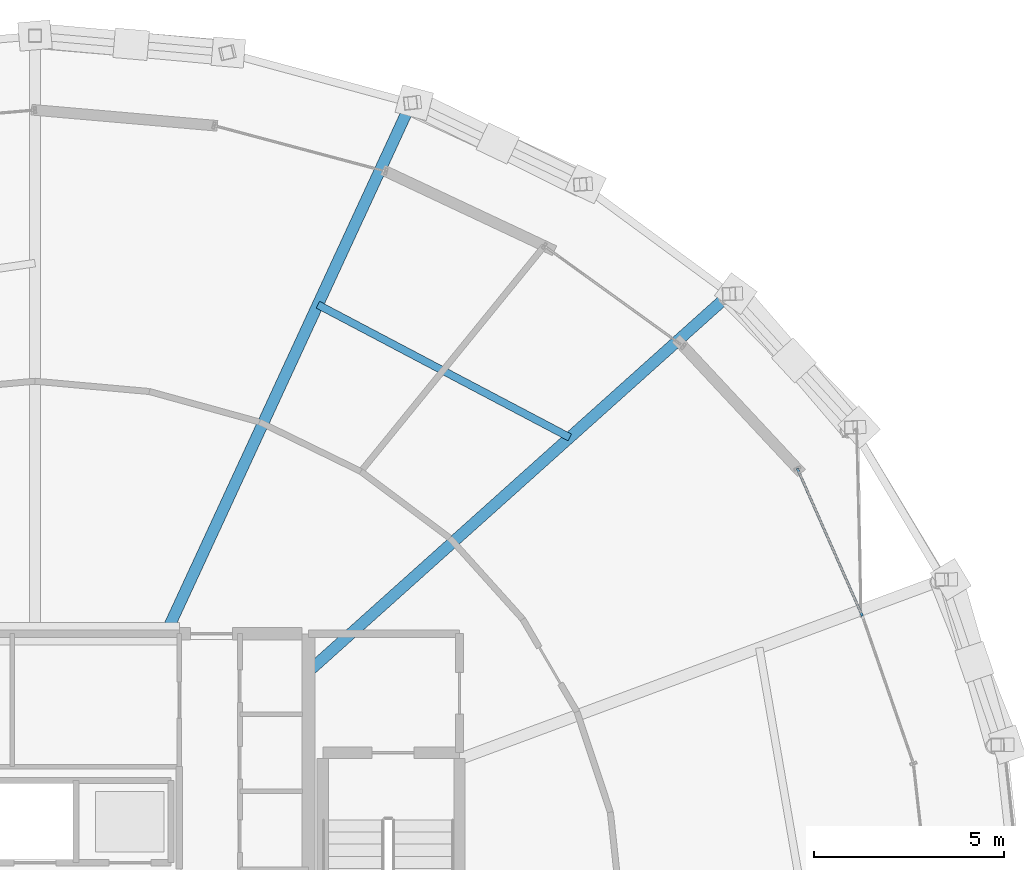
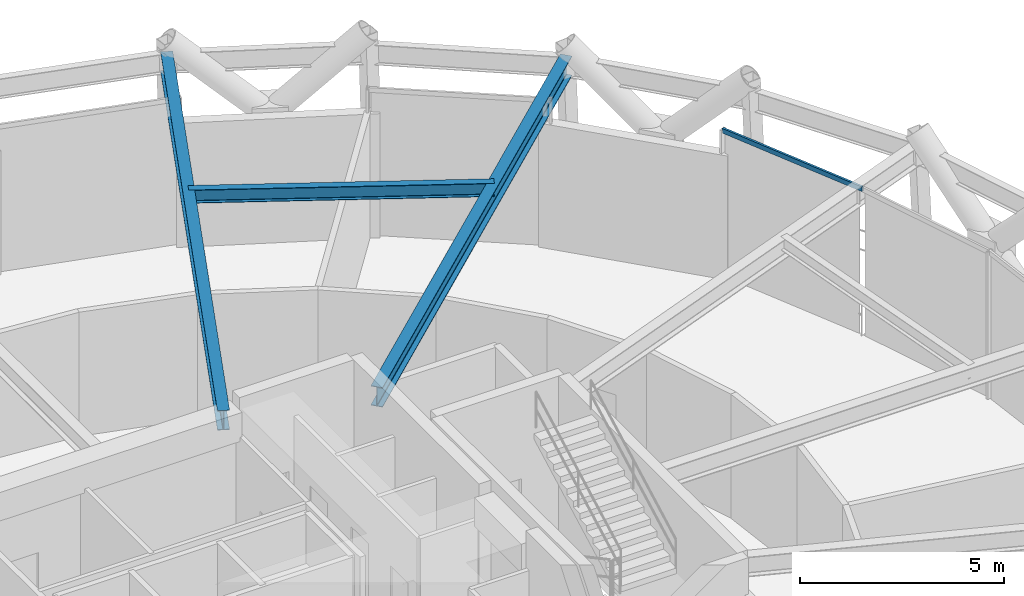
# One storey, part 20 of 29: 3 beams, 1 member, 1 element without a shape of its own.
"""IFC4 building model written with IfcOpenShell, lengths in metres."""

from ifc_helpers import new_model, si_unit, direction, frame, origin, origin_2d, place, context, subcontext, project, spatial, hollow_rectangle, i_section, extrude, material, layer, layer_set, material_profile, profile_set, type_object, element, aggregate, save


model = new_model("IFC4")

# Units and contexts
model_context = context("Model", 3, precision=1e-05, world=origin(), true_north=direction((0.0, 1.0)))
body_context = subcontext(model_context, "Body", "Model", "MODEL_VIEW")
ifc_project = project(units=[si_unit("LENGTHUNIT", "METRE"), si_unit("AREAUNIT", "SQUARE_METRE"), si_unit("VOLUMEUNIT", "CUBIC_METRE"), si_unit("PLANEANGLEUNIT", "RADIAN"), si_unit("MASSUNIT", "GRAM", prefix="KILO")], contexts=[model_context])

# Site, building, storey
site_placement = place(None, origin())
site = spatial("IfcSite", under=ifc_project, at=site_placement, CompositionType="ELEMENT")
building_placement = place(site_placement, origin())
building = spatial("IfcBuilding", under=site, at=building_placement, Name="Veldorina Hangang Commons", CompositionType="ELEMENT")
storey_placement = place(building_placement, frame((0.0, 0.0, 203.60009765625)))
storey = spatial("IfcBuildingStorey", under=building, at=storey_placement, Name="L53", CompositionType="ELEMENT", Elevation=203.60009765625)

# Beams
ifc_material_1 = material(Name="Steel SM460-TMC", Category="steel")
ifc_material_profile_1 = material_profile(ifc_material_1, i_section(OverallWidth=0.300048828125, OverallDepth=0.587890625, WebThickness=0.011962890625, FlangeThickness=0.02001953125, FilletRadius=0.01806640625, at=origin_2d()), Name="H-588x300x12x20")
ifc_profile_set_1 = profile_set([ifc_material_profile_1], Name="Steel SM460-TMC")
beam_type_1 = type_object("IfcBeamType", Name="BM-FG588", PredefinedType="BEAM", material=ifc_profile_set_1)
beam_1_placement = place(storey_placement, frame((39.199951171875, 30.451171875, 4.14599609375), z_axis=(0.744767846617, 0.667323650596, 0.0), x_axis=(-0.667323650596, 0.744767846617, 0.0)))
element("IfcBeam", 1, at=beam_1_placement, inside=storey, type_object=beam_type_1, Name="L53 radial floor girder 03", PredefinedType="BEAM", context=body_context, shape_type="SweptSolid", body=[
    extrude(i_section(OverallWidth=0.300048828125, OverallDepth=0.587890625, WebThickness=0.011962890625, FlangeThickness=0.02001953125, FilletRadius=0.01806640625, at=origin_2d()), origin(), (0.0, 0.0, 1.0), 14.907958984375),
])
beam_2_placement = place(storey_placement, frame((35.444091796875, 31.449951171875, 4.14599609375), z_axis=(0.419619133377, 0.907700271512, 0.0), x_axis=(-0.907700271512, 0.419619133377, 0.0)))
element("IfcBeam", 2, at=beam_2_placement, inside=storey, type_object=beam_type_1, Name="L53 radial floor girder 04", PredefinedType="BEAM", context=body_context, shape_type="SweptSolid", body=[
    extrude(i_section(OverallWidth=0.300048828125, OverallDepth=0.587890625, WebThickness=0.011962890625, FlangeThickness=0.02001953125, FilletRadius=0.01806640625, at=origin_2d()), origin(), (0.0, 0.0, 1.0), 15.398193359375),
])
ifc_material_2 = material(Name="Steel SM355-TMC", Category="steel")
ifc_material_profile_2 = material_profile(ifc_material_2, i_section(OverallWidth=0.199951171875, OverallDepth=0.39990234375, WebThickness=0.008056640625, FlangeThickness=0.012939453125, FilletRadius=0.012939453125, at=origin_2d()), Name="H-400x200x8x13")
ifc_profile_set_2 = profile_set([ifc_material_profile_2], Name="Steel SM355-TMC")
beam_type_2 = type_object("IfcBeamType", Name="BM-JST400", PredefinedType="JOIST", material=ifc_profile_set_2)
beam_3_placement = place(storey_placement, frame((46.083984375, 36.619140625, 4.239990234375), z_axis=(-0.884636984025, 0.466280394715, 0.0), x_axis=(-0.466280394715, -0.884636984025, 0.0)))
element("IfcBeam", 3, at=beam_3_placement, inside=storey, type_object=beam_type_2, Name="L53 secondary floor joist 03", PredefinedType="JOIST", context=body_context, shape_type="SweptSolid", body=[
    extrude(i_section(OverallWidth=0.199951171875, OverallDepth=0.39990234375, WebThickness=0.008056640625, FlangeThickness=0.012939453125, FilletRadius=0.012939453125, at=origin_2d()), origin(), (0.0, 0.0, 1.0), 7.498779296875),
])

# Curtain wall, member
ifc_material_3 = material(Name="Glass Acoustic Laminated", Category="glass")
ifc_layer = layer(ifc_material_3, 0.179931640625)
ifc_layer_set = layer_set([ifc_layer], Name="Glass Acoustic Laminated")
curtain_wall_type = type_object("IfcCurtainWallType", Name="CW-SYS-SKY", PredefinedType="NOTDEFINED", material=ifc_layer_set)
curtain_wall_placement = place(storey_placement, origin())
curtain_wall = element("IfcCurtainWall", 4, at=curtain_wall_placement, inside=storey, type_object=curtain_wall_type, Name="L53 unitised curtain wall CW-L53-R12", PredefinedType="NOTDEFINED")
ifc_material_4 = material(Name="Aluminium Anodized AA6063-T6", Category="aluminium")
ifc_material_profile_3 = material_profile(ifc_material_4, hollow_rectangle(XDim=0.06005859375, YDim=0.139892578125, WallThickness=0.00341796875, at=origin_2d()), Name="ALU-RHS-140x60x3.5")
ifc_profile_set_3 = profile_set([ifc_material_profile_3], Name="Aluminium Anodized AA6063-T6")
member_type = type_object("IfcMemberType", Name="CW-TRN-140", PredefinedType="USERDEFINED", material=ifc_profile_set_3)
member_placement = place(storey_placement, frame((53.790771484375, 31.9150390625, 4.35986328125), z_axis=(-0.403497296375, 0.914980836858, 0.0), x_axis=(-0.914980836858, -0.403497296375, 0.0)))
member = element("IfcMember", 5, at=member_placement, type_object=member_type, Name="CW-L53-R12 facet 6 transom 1", ObjectType="TRANSOM", PredefinedType="USERDEFINED", context=body_context, shape_type="SweptSolid", body=[
    extrude(hollow_rectangle(XDim=0.06005859375, YDim=0.139892578125, WallThickness=0.00341796875, at=origin_2d()), origin(), (0.0, 0.0, 1.0), 4.248046875),
])
aggregate(curtain_wall, [member])

save(model, "model.ifc")
